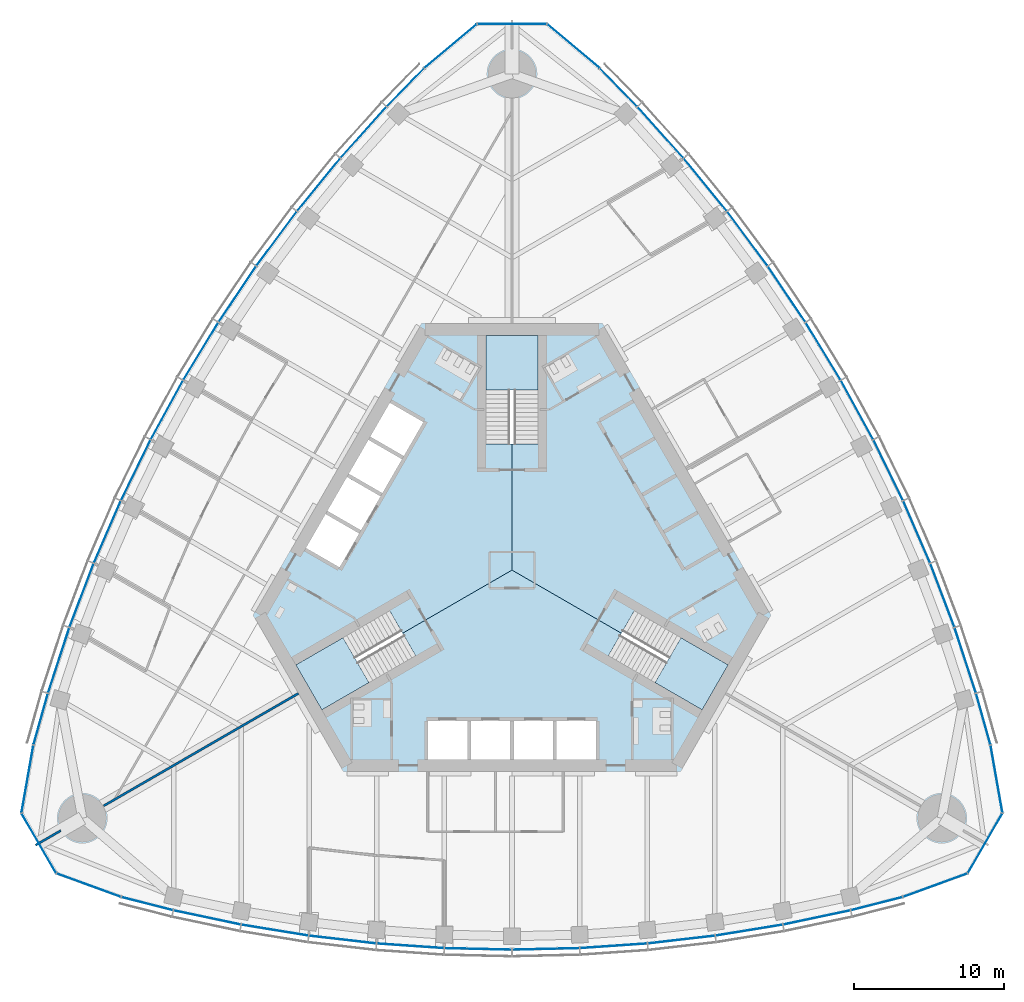
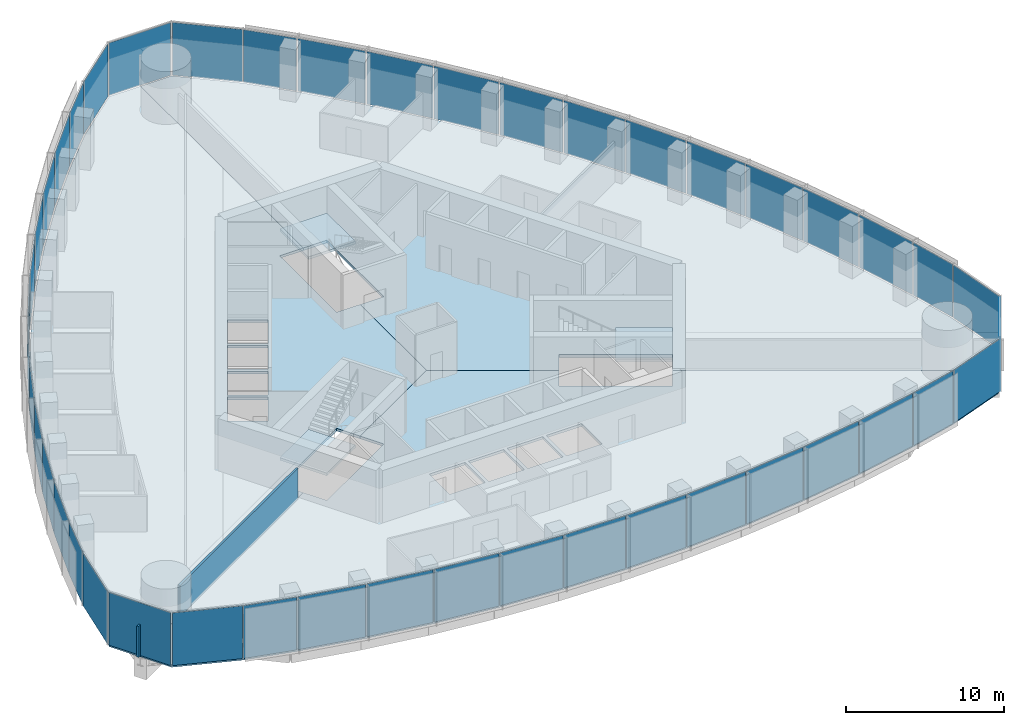
# One storey, part 10 of 19: 45 plates, 6 slabs, 2 walls, 9 elements without a shape of their own.
"""IFC4 building model written with IfcOpenShell, lengths in metres."""

from ifc_helpers import new_model, si_unit, direction, frame, frame_2d, origin, origin_2d, place, context, subcontext, project, spatial, polyline, rectangle, outline, extrude, material, layer, layer_set, type_object, element, aggregate, save


model = new_model("IFC4")

# Units and contexts
model_context = context("Model", 3, precision=1e-05, world=origin(), true_north=direction((0.0, 1.0)))
body_context = subcontext(model_context, "Body", "Model", "MODEL_VIEW")
ifc_project = project(units=[si_unit("LENGTHUNIT", "METRE"), si_unit("AREAUNIT", "SQUARE_METRE"), si_unit("VOLUMEUNIT", "CUBIC_METRE"), si_unit("PLANEANGLEUNIT", "RADIAN"), si_unit("MASSUNIT", "GRAM", prefix="KILO")], contexts=[model_context])

# Site, building, storey
site_placement = place(None, origin())
site = spatial("IfcSite", under=ifc_project, at=site_placement, CompositionType="ELEMENT")
building_placement = place(site_placement, origin())
building = spatial("IfcBuilding", under=site, at=building_placement, Name="Trefoil Bronze Tower", CompositionType="ELEMENT")
storey_placement = place(building_placement, frame((0.0, 0.0, 206.5)))
storey = spatial("IfcBuildingStorey", under=building, at=storey_placement, Name="L47", CompositionType="ELEMENT", Elevation=206.5)

# Curtain wall, plates
ifc_material_1 = material(Name="Tinted solar-control glass", Category="glass")
curtain_wall_type_1 = type_object("IfcCurtainWallType", Name="Bronze office curtain wall", PredefinedType="USERDEFINED", material=ifc_material_1)
curtain_wall_1_placement = place(storey_placement, origin())
curtain_wall_1 = element("IfcCurtainWall", 1, at=curtain_wall_1_placement, inside=storey, type_object=curtain_wall_type_1, Name="CW-A L47 F1", ObjectType="CURTAIN WALL", PredefinedType="USERDEFINED")
ifc_material_2 = material(Name="Tinted solar-control glass", Category="glass")
ifc_layer_1 = layer(ifc_material_2, 0.030029296875)
ifc_layer_set_1 = layer_set([ifc_layer_1], Name="Bronze office curtain wall glass panel")
plate_type_1 = type_object("IfcPlateType", Name="Bronze office curtain wall glass panel", PredefinedType="CURTAIN_PANEL", material=ifc_layer_set_1)
plate_1_placement = place(storey_placement, frame((-24.251220703125, -22.188232421875, 0.0), z_axis=(0.0, 0.0, 1.0), x_axis=(0.968934035393, -0.247319297786, 0.0)))
plate_1 = element("IfcPlate", 2, at=plate_1_placement, type_object=plate_type_1, Name="CW-A L47 F1 panel 1", PredefinedType="CURTAIN_PANEL", context=body_context, shape_type="SweptSolid", body=[
    extrude(rectangle(XDim=3.483642578125, YDim=0.030029296875, at=origin_2d()), origin(), (0.0, 0.0, 1.0), 4.080078125),
])
plate_2_placement = place(storey_placement, frame((-20.270751953125, -23.105224609375, 0.0), z_axis=(0.0, 0.0, 1.0), x_axis=(0.978394335897, -0.20674748725, 0.0)))
plate_2 = element("IfcPlate", 3, at=plate_2_placement, type_object=plate_type_1, Name="CW-A L47 F1 panel 2", PredefinedType="CURTAIN_PANEL", context=body_context, shape_type="SweptSolid", body=[
    extrude(rectangle(XDim=4.519287109375, YDim=0.030029296875, at=origin_2d()), origin(), (0.0, 0.0, 1.0), 4.080078125),
])
plate_3_placement = place(storey_placement, frame((-15.76611328125, -23.9482421875, 0.0), z_axis=(0.0, 0.0, 1.0), x_axis=(0.986986549528, -0.160802832848, 0.0)))
plate_3 = element("IfcPlate", 4, at=plate_3_placement, type_object=plate_type_1, Name="CW-A L47 F1 panel 3", PredefinedType="CURTAIN_PANEL", context=body_context, shape_type="SweptSolid", body=[
    extrude(rectangle(XDim=4.479248046875, YDim=0.030029296875, at=origin_2d()), origin(), (0.0, 0.0, 1.0), 4.080078125),
])
plate_4_placement = place(storey_placement, frame((-11.261474609375, -24.57568359375, 0.0), z_axis=(0.0, 0.0, 1.0), x_axis=(0.993381831741, -0.114858767043, 0.0)))
plate_4 = element("IfcPlate", 5, at=plate_4_placement, type_object=plate_type_1, Name="CW-A L47 F1 panel 4", PredefinedType="CURTAIN_PANEL", context=body_context, shape_type="SweptSolid", body=[
    extrude(rectangle(XDim=4.449951171875, YDim=0.030029296875, at=origin_2d()), origin(), (0.0, 0.0, 1.0), 4.080078125),
])
plate_5_placement = place(storey_placement, frame((-6.7568359375, -24.991455078125, 0.0), z_axis=(0.0, 0.0, 1.0), x_axis=(0.99762252804, -0.068915103905, 0.0)))
plate_5 = element("IfcPlate", 6, at=plate_5_placement, type_object=plate_type_1, Name="CW-A L47 F1 panel 5", PredefinedType="CURTAIN_PANEL", context=body_context, shape_type="SweptSolid", body=[
    extrude(rectangle(XDim=4.4306640625, YDim=0.030029296875, at=origin_2d()), origin(), (0.0, 0.0, 1.0), 4.080078125),
])
plate_6_placement = place(storey_placement, frame((-2.252197265625, -25.198974609375, 0.0), z_axis=(0.0, 0.0, 1.0), x_axis=(0.999736116243, -0.022971675577, 0.0)))
plate_6 = element("IfcPlate", 7, at=plate_6_placement, type_object=plate_type_1, Name="CW-A L47 F1 panel 6", PredefinedType="CURTAIN_PANEL", context=body_context, shape_type="SweptSolid", body=[
    extrude(rectangle(XDim=4.421142578125, YDim=0.030029296875, at=origin_2d()), origin(), (0.0, 0.0, 1.0), 4.080078125),
])
plate_7_placement = place(storey_placement, frame((2.252197265625, -25.198974609375, 0.0), z_axis=(0.0, 0.0, 1.0), x_axis=(0.999736116243, 0.022971675577, 0.0)))
plate_7 = element("IfcPlate", 8, at=plate_7_placement, type_object=plate_type_1, Name="CW-A L47 F1 panel 7", PredefinedType="CURTAIN_PANEL", context=body_context, shape_type="SweptSolid", body=[
    extrude(rectangle(XDim=4.421142578125, YDim=0.030029296875, at=origin_2d()), origin(), (0.0, 0.0, 1.0), 4.080078125),
])
plate_8_placement = place(storey_placement, frame((6.7568359375, -24.991455078125, 0.0), z_axis=(0.0, 0.0, 1.0), x_axis=(0.99762252804, 0.068915103905, 0.0)))
plate_8 = element("IfcPlate", 9, at=plate_8_placement, type_object=plate_type_1, Name="CW-A L47 F1 panel 8", PredefinedType="CURTAIN_PANEL", context=body_context, shape_type="SweptSolid", body=[
    extrude(rectangle(XDim=4.4306640625, YDim=0.030029296875, at=origin_2d()), origin(), (0.0, 0.0, 1.0), 4.080078125),
])
plate_9_placement = place(storey_placement, frame((11.261474609375, -24.57568359375, 0.0), z_axis=(0.0, 0.0, 1.0), x_axis=(0.993381831741, 0.114858767043, 0.0)))
plate_9 = element("IfcPlate", 10, at=plate_9_placement, type_object=plate_type_1, Name="CW-A L47 F1 panel 9", PredefinedType="CURTAIN_PANEL", context=body_context, shape_type="SweptSolid", body=[
    extrude(rectangle(XDim=4.449951171875, YDim=0.030029296875, at=origin_2d()), origin(), (0.0, 0.0, 1.0), 4.080078125),
])
plate_10_placement = place(storey_placement, frame((15.76611328125, -23.9482421875, 0.0), z_axis=(0.0, 0.0, 1.0), x_axis=(0.986986549528, 0.160802832848, 0.0)))
plate_10 = element("IfcPlate", 11, at=plate_10_placement, type_object=plate_type_1, Name="CW-A L47 F1 panel 10", PredefinedType="CURTAIN_PANEL", context=body_context, shape_type="SweptSolid", body=[
    extrude(rectangle(XDim=4.479248046875, YDim=0.030029296875, at=origin_2d()), origin(), (0.0, 0.0, 1.0), 4.080078125),
])
plate_11_placement = place(storey_placement, frame((20.270751953125, -23.105224609375, 0.0), z_axis=(0.0, 0.0, 1.0), x_axis=(0.978394335897, 0.20674748725, 0.0)))
plate_11 = element("IfcPlate", 12, at=plate_11_placement, type_object=plate_type_1, Name="CW-A L47 F1 panel 11", PredefinedType="CURTAIN_PANEL", context=body_context, shape_type="SweptSolid", body=[
    extrude(rectangle(XDim=4.519287109375, YDim=0.030029296875, at=origin_2d()), origin(), (0.0, 0.0, 1.0), 4.080078125),
])
plate_12_placement = place(storey_placement, frame((24.251220703125, -22.188232421875, 0.0), z_axis=(0.0, 0.0, 1.0), x_axis=(0.968934035393, 0.247319297786, 0.0)))
plate_12 = element("IfcPlate", 13, at=plate_12_placement, type_object=plate_type_1, Name="CW-A L47 F1 panel 12", PredefinedType="CURTAIN_PANEL", context=body_context, shape_type="SweptSolid", body=[
    extrude(rectangle(XDim=3.483642578125, YDim=0.030029296875, at=origin_2d()), origin(), (0.0, 0.0, 1.0), 4.080078125),
])
aggregate(curtain_wall_1, [plate_1, plate_2, plate_3, plate_4, plate_5, plate_6, plate_7, plate_8, plate_9, plate_10, plate_11, plate_12])

curtain_wall_2_placement = place(storey_placement, origin())
curtain_wall_2 = element("IfcCurtainWall", 14, at=curtain_wall_2_placement, inside=storey, type_object=curtain_wall_type_1, Name="CW-A L47 F2", ObjectType="CURTAIN WALL", PredefinedType="USERDEFINED")
plate_13_placement = place(storey_placement, frame((31.341064453125, -9.907958984375, 0.0), z_axis=(0.0, 0.0, 1.0), x_axis=(-0.270282222968, 0.962781138134, 0.0)))
plate_13 = element("IfcPlate", 15, at=plate_13_placement, type_object=plate_type_1, Name="CW-A L47 F2 panel 1", PredefinedType="CURTAIN_PANEL", context=body_context, shape_type="SweptSolid", body=[
    extrude(rectangle(XDim=3.483642578125, YDim=0.030029296875, at=origin_2d()), origin(), (0.0, 0.0, 1.0), 4.080078125),
])
plate_14_placement = place(storey_placement, frame((30.14501953125, -6.002197265625, 0.0), z_axis=(0.0, 0.0, 1.0), x_axis=(-0.310148591821, 0.950688093431, 0.0)))
plate_14 = element("IfcPlate", 16, at=plate_14_placement, type_object=plate_type_1, Name="CW-A L47 F2 panel 2", PredefinedType="CURTAIN_PANEL", context=body_context, shape_type="SweptSolid", body=[
    extrude(rectangle(XDim=4.519287109375, YDim=0.030029296875, at=origin_2d()), origin(), (0.0, 0.0, 1.0), 4.080078125),
])
plate_15_placement = place(storey_placement, frame((28.622802734375, -1.6796875, 0.0), z_axis=(0.0, 0.0, 1.0), x_axis=(-0.354233936517, 0.935156841508, 0.0)))
plate_15 = element("IfcPlate", 17, at=plate_15_placement, type_object=plate_type_1, Name="CW-A L47 F2 panel 3", PredefinedType="CURTAIN_PANEL", context=body_context, shape_type="SweptSolid", body=[
    extrude(rectangle(XDim=4.479248046875, YDim=0.030029296875, at=origin_2d()), origin(), (0.0, 0.0, 1.0), 4.080078125),
])
plate_16_placement = place(storey_placement, frame((26.913818359375, 2.53515625, 0.0), z_axis=(0.0, 0.0, 1.0), x_axis=(-0.397220305764, 0.917723285467, 0.0)))
plate_16 = element("IfcPlate", 18, at=plate_16_placement, type_object=plate_type_1, Name="CW-A L47 F2 panel 4", PredefinedType="CURTAIN_PANEL", context=body_context, shape_type="SweptSolid", body=[
    extrude(rectangle(XDim=4.449951171875, YDim=0.030029296875, at=origin_2d()), origin(), (0.0, 0.0, 1.0), 4.080078125),
])
plate_17_placement = place(storey_placement, frame((25.021728515625, 6.64404296875, 0.0), z_axis=(0.0, 0.0, 1.0), x_axis=(-0.439129033334, 0.898424004623, 0.0)))
plate_17 = element("IfcPlate", 19, at=plate_17_placement, type_object=plate_type_1, Name="CW-A L47 F2 panel 5", PredefinedType="CURTAIN_PANEL", context=body_context, shape_type="SweptSolid", body=[
    extrude(rectangle(XDim=4.4306640625, YDim=0.030029296875, at=origin_2d()), origin(), (0.0, 0.0, 1.0), 4.080078125),
])
plate_18_placement = place(storey_placement, frame((22.948974609375, 10.64892578125, 0.0), z_axis=(0.0, 0.0, 1.0), x_axis=(-0.479974003504, 0.877282711536, 0.0)))
plate_18 = element("IfcPlate", 20, at=plate_18_placement, type_object=plate_type_1, Name="CW-A L47 F2 panel 6", PredefinedType="CURTAIN_PANEL", context=body_context, shape_type="SweptSolid", body=[
    extrude(rectangle(XDim=4.421142578125, YDim=0.030029296875, at=origin_2d()), origin(), (0.0, 0.0, 1.0), 4.080078125),
])
plate_19_placement = place(storey_placement, frame((20.69677734375, 14.550048828125, 0.0), z_axis=(0.0, 0.0, 1.0), x_axis=(-0.519762112739, 0.854311035959, 0.0)))
plate_19 = element("IfcPlate", 21, at=plate_19_placement, type_object=plate_type_1, Name="CW-A L47 F2 panel 7", PredefinedType="CURTAIN_PANEL", context=body_context, shape_type="SweptSolid", body=[
    extrude(rectangle(XDim=4.421142578125, YDim=0.030029296875, at=origin_2d()), origin(), (0.0, 0.0, 1.0), 4.080078125),
])
plate_20_placement = place(storey_placement, frame((18.264892578125, 18.347412109375, 0.0), z_axis=(0.0, 0.0, 1.0), x_axis=(-0.558493494706, 0.829508900718, 0.0)))
plate_20 = element("IfcPlate", 22, at=plate_20_placement, type_object=plate_type_1, Name="CW-A L47 F2 panel 8", PredefinedType="CURTAIN_PANEL", context=body_context, shape_type="SweptSolid", body=[
    extrude(rectangle(XDim=4.4306640625, YDim=0.030029296875, at=origin_2d()), origin(), (0.0, 0.0, 1.0), 4.080078125),
])
plate_21_placement = place(storey_placement, frame((15.65234375, 22.04052734375, 0.0), z_axis=(0.0, 0.0, 1.0), x_axis=(-0.596161525977, 0.802864518425, 0.0)))
plate_21 = element("IfcPlate", 23, at=plate_21_placement, type_object=plate_type_1, Name="CW-A L47 F2 panel 9", PredefinedType="CURTAIN_PANEL", context=body_context, shape_type="SweptSolid", body=[
    extrude(rectangle(XDim=4.449951171875, YDim=0.030029296875, at=origin_2d()), origin(), (0.0, 0.0, 1.0), 4.080078125),
])
plate_22_placement = place(storey_placement, frame((12.856689453125, 25.6279296875, 0.0), z_axis=(0.0, 0.0, 1.0), x_axis=(-0.63275261301, 0.774354008661, 0.0)))
plate_22 = element("IfcPlate", 24, at=plate_22_placement, type_object=plate_type_1, Name="CW-A L47 F2 panel 10", PredefinedType="CURTAIN_PANEL", context=body_context, shape_type="SweptSolid", body=[
    extrude(rectangle(XDim=4.479248046875, YDim=0.030029296875, at=origin_2d()), origin(), (0.0, 0.0, 1.0), 4.080078125),
])
plate_23_placement = place(storey_placement, frame((9.87451171875, 29.107666015625, 0.0), z_axis=(0.0, 0.0, 1.0), x_axis=(-0.668245744076, 0.743940606181, 0.0)))
plate_23 = element("IfcPlate", 25, at=plate_23_placement, type_object=plate_type_1, Name="CW-A L47 F2 panel 11", PredefinedType="CURTAIN_PANEL", context=body_context, shape_type="SweptSolid", body=[
    extrude(rectangle(XDim=4.519287109375, YDim=0.030029296875, at=origin_2d()), origin(), (0.0, 0.0, 1.0), 4.080078125),
])
plate_24_placement = place(storey_placement, frame((7.08984375, 32.09619140625, 0.0), z_axis=(0.0, 0.0, 1.0), x_axis=(-0.698651812425, 0.715461840349, 0.0)))
plate_24 = element("IfcPlate", 26, at=plate_24_placement, type_object=plate_type_1, Name="CW-A L47 F2 panel 12", PredefinedType="CURTAIN_PANEL", context=body_context, shape_type="SweptSolid", body=[
    extrude(rectangle(XDim=3.483642578125, YDim=0.030029296875, at=origin_2d()), origin(), (0.0, 0.0, 1.0), 4.080078125),
])
aggregate(curtain_wall_2, [plate_13, plate_14, plate_15, plate_16, plate_17, plate_18, plate_19, plate_20, plate_21, plate_22, plate_23, plate_24])

curtain_wall_3_placement = place(storey_placement, origin())
curtain_wall_3 = element("IfcCurtainWall", 27, at=curtain_wall_3_placement, inside=storey, type_object=curtain_wall_type_1, Name="CW-A L47 F3", ObjectType="CURTAIN WALL", PredefinedType="USERDEFINED")
plate_25_placement = place(storey_placement, frame((-7.08984375, 32.09619140625, 0.0), z_axis=(0.0, 0.0, 1.0), x_axis=(-0.698651812425, -0.715461840349, 0.0)))
plate_25 = element("IfcPlate", 28, at=plate_25_placement, type_object=plate_type_1, Name="CW-A L47 F3 panel 1", PredefinedType="CURTAIN_PANEL", context=body_context, shape_type="SweptSolid", body=[
    extrude(rectangle(XDim=3.483642578125, YDim=0.030029296875, at=origin_2d()), origin(), (0.0, 0.0, 1.0), 4.080078125),
])
plate_26_placement = place(storey_placement, frame((-9.87451171875, 29.107666015625, 0.0), z_axis=(0.0, 0.0, 1.0), x_axis=(-0.668245744076, -0.743940606181, 0.0)))
plate_26 = element("IfcPlate", 29, at=plate_26_placement, type_object=plate_type_1, Name="CW-A L47 F3 panel 2", PredefinedType="CURTAIN_PANEL", context=body_context, shape_type="SweptSolid", body=[
    extrude(rectangle(XDim=4.519287109375, YDim=0.030029296875, at=origin_2d()), origin(), (0.0, 0.0, 1.0), 4.080078125),
])
plate_27_placement = place(storey_placement, frame((-12.856689453125, 25.6279296875, 0.0), z_axis=(0.0, 0.0, 1.0), x_axis=(-0.63275261301, -0.774354008661, 0.0)))
plate_27 = element("IfcPlate", 30, at=plate_27_placement, type_object=plate_type_1, Name="CW-A L47 F3 panel 3", PredefinedType="CURTAIN_PANEL", context=body_context, shape_type="SweptSolid", body=[
    extrude(rectangle(XDim=4.479248046875, YDim=0.030029296875, at=origin_2d()), origin(), (0.0, 0.0, 1.0), 4.080078125),
])
plate_28_placement = place(storey_placement, frame((-15.65234375, 22.04052734375, 0.0), z_axis=(0.0, 0.0, 1.0), x_axis=(-0.596161525977, -0.802864518425, 0.0)))
plate_28 = element("IfcPlate", 31, at=plate_28_placement, type_object=plate_type_1, Name="CW-A L47 F3 panel 4", PredefinedType="CURTAIN_PANEL", context=body_context, shape_type="SweptSolid", body=[
    extrude(rectangle(XDim=4.449951171875, YDim=0.030029296875, at=origin_2d()), origin(), (0.0, 0.0, 1.0), 4.080078125),
])
plate_29_placement = place(storey_placement, frame((-18.264892578125, 18.347412109375, 0.0), z_axis=(0.0, 0.0, 1.0), x_axis=(-0.558493494706, -0.829508900718, 0.0)))
plate_29 = element("IfcPlate", 32, at=plate_29_placement, type_object=plate_type_1, Name="CW-A L47 F3 panel 5", PredefinedType="CURTAIN_PANEL", context=body_context, shape_type="SweptSolid", body=[
    extrude(rectangle(XDim=4.4306640625, YDim=0.030029296875, at=origin_2d()), origin(), (0.0, 0.0, 1.0), 4.080078125),
])
plate_30_placement = place(storey_placement, frame((-20.69677734375, 14.550048828125, 0.0), z_axis=(0.0, 0.0, 1.0), x_axis=(-0.519762112739, -0.854311035959, 0.0)))
plate_30 = element("IfcPlate", 33, at=plate_30_placement, type_object=plate_type_1, Name="CW-A L47 F3 panel 6", PredefinedType="CURTAIN_PANEL", context=body_context, shape_type="SweptSolid", body=[
    extrude(rectangle(XDim=4.421142578125, YDim=0.030029296875, at=origin_2d()), origin(), (0.0, 0.0, 1.0), 4.080078125),
])
plate_31_placement = place(storey_placement, frame((-22.948974609375, 10.64892578125, 0.0), z_axis=(0.0, 0.0, 1.0), x_axis=(-0.479974003504, -0.877282711536, 0.0)))
plate_31 = element("IfcPlate", 34, at=plate_31_placement, type_object=plate_type_1, Name="CW-A L47 F3 panel 7", PredefinedType="CURTAIN_PANEL", context=body_context, shape_type="SweptSolid", body=[
    extrude(rectangle(XDim=4.421142578125, YDim=0.030029296875, at=origin_2d()), origin(), (0.0, 0.0, 1.0), 4.080078125),
])
plate_32_placement = place(storey_placement, frame((-25.021728515625, 6.64404296875, 0.0), z_axis=(0.0, 0.0, 1.0), x_axis=(-0.439129033334, -0.898424004623, 0.0)))
plate_32 = element("IfcPlate", 35, at=plate_32_placement, type_object=plate_type_1, Name="CW-A L47 F3 panel 8", PredefinedType="CURTAIN_PANEL", context=body_context, shape_type="SweptSolid", body=[
    extrude(rectangle(XDim=4.4306640625, YDim=0.030029296875, at=origin_2d()), origin(), (0.0, 0.0, 1.0), 4.080078125),
])
plate_33_placement = place(storey_placement, frame((-26.913818359375, 2.53515625, 0.0), z_axis=(0.0, 0.0, 1.0), x_axis=(-0.397220305764, -0.917723285467, 0.0)))
plate_33 = element("IfcPlate", 36, at=plate_33_placement, type_object=plate_type_1, Name="CW-A L47 F3 panel 9", PredefinedType="CURTAIN_PANEL", context=body_context, shape_type="SweptSolid", body=[
    extrude(rectangle(XDim=4.449951171875, YDim=0.030029296875, at=origin_2d()), origin(), (0.0, 0.0, 1.0), 4.080078125),
])
plate_34_placement = place(storey_placement, frame((-28.622802734375, -1.6796875, 0.0), z_axis=(0.0, 0.0, 1.0), x_axis=(-0.354233936517, -0.935156841508, 0.0)))
plate_34 = element("IfcPlate", 37, at=plate_34_placement, type_object=plate_type_1, Name="CW-A L47 F3 panel 10", PredefinedType="CURTAIN_PANEL", context=body_context, shape_type="SweptSolid", body=[
    extrude(rectangle(XDim=4.479248046875, YDim=0.030029296875, at=origin_2d()), origin(), (0.0, 0.0, 1.0), 4.080078125),
])
plate_35_placement = place(storey_placement, frame((-30.14501953125, -6.002197265625, 0.0), z_axis=(0.0, 0.0, 1.0), x_axis=(-0.310148591821, -0.950688093431, 0.0)))
plate_35 = element("IfcPlate", 38, at=plate_35_placement, type_object=plate_type_1, Name="CW-A L47 F3 panel 11", PredefinedType="CURTAIN_PANEL", context=body_context, shape_type="SweptSolid", body=[
    extrude(rectangle(XDim=4.519287109375, YDim=0.030029296875, at=origin_2d()), origin(), (0.0, 0.0, 1.0), 4.080078125),
])
plate_36_placement = place(storey_placement, frame((-31.341064453125, -9.907958984375, 0.0), z_axis=(0.0, 0.0, 1.0), x_axis=(-0.270282222968, -0.962781138134, 0.0)))
plate_36 = element("IfcPlate", 39, at=plate_36_placement, type_object=plate_type_1, Name="CW-A L47 F3 panel 12", PredefinedType="CURTAIN_PANEL", context=body_context, shape_type="SweptSolid", body=[
    extrude(rectangle(XDim=3.483642578125, YDim=0.030029296875, at=origin_2d()), origin(), (0.0, 0.0, 1.0), 4.080078125),
])
aggregate(curtain_wall_3, [plate_25, plate_26, plate_27, plate_28, plate_29, plate_30, plate_31, plate_32, plate_33, plate_34, plate_35, plate_36])

ifc_material_3 = material(Name="Tinted solar-control glass", Category="glass")
curtain_wall_type_2 = type_object("IfcCurtainWallType", Name="Bronze rounded corner curtain wall", PredefinedType="USERDEFINED", material=ifc_material_3)
curtain_wall_4_placement = place(storey_placement, origin())
curtain_wall_4 = element("IfcCurtainWall", 40, at=curtain_wall_4_placement, inside=storey, type_object=curtain_wall_type_2, Name="CW-B L47 K1", ObjectType="CURTAIN WALL", PredefinedType="USERDEFINED")
ifc_material_4 = material(Name="Tinted solar-control glass", Category="glass")
ifc_layer_2 = layer(ifc_material_4, 0.030029296875)
ifc_layer_set_2 = layer_set([ifc_layer_2], Name="Bronze rounded corner curtain wall glass panel")
plate_type_2 = type_object("IfcPlateType", Name="Bronze rounded corner curtain wall glass panel", PredefinedType="CURTAIN_PANEL", material=ifc_layer_set_2)
plate_37_placement = place(storey_placement, frame((28.1298828125, -20.96484375, 0.0), z_axis=(0.0, 0.0, 1.0), x_axis=(0.939692620786, 0.342020143326, 0.0)))
plate_37 = element("IfcPlate", 41, at=plate_37_placement, type_object=plate_type_2, Name="CW-B L47 K1 panel 1", PredefinedType="CURTAIN_PANEL", context=body_context, shape_type="SweptSolid", body=[
    extrude(rectangle(XDim=4.500244140625, YDim=0.030029296875, at=origin_2d()), origin(), (0.0, 0.0, 1.0), 4.080078125),
])
plate_38_placement = place(storey_placement, frame((31.46484375, -18.166259765625, 0.0), z_axis=(0.0, 0.0, 1.0), x_axis=(0.5, 0.866025403784, 0.0)))
plate_38 = element("IfcPlate", 42, at=plate_38_placement, type_object=plate_type_2, Name="CW-B L47 K1 panel 2", PredefinedType="CURTAIN_PANEL", context=body_context, shape_type="SweptSolid", body=[
    extrude(rectangle(XDim=4.500244140625, YDim=0.030029296875, at=origin_2d()), origin(), (0.0, 0.0, 1.0), 4.080078125),
])
plate_39_placement = place(storey_placement, frame((32.220947265625, -13.878662109375, 0.0), z_axis=(0.0, 0.0, 1.0), x_axis=(-0.173648177667, 0.984807753012, 0.0)))
plate_39 = element("IfcPlate", 43, at=plate_39_placement, type_object=plate_type_2, Name="CW-B L47 K1 panel 3", PredefinedType="CURTAIN_PANEL", context=body_context, shape_type="SweptSolid", body=[
    extrude(rectangle(XDim=4.500244140625, YDim=0.030029296875, at=origin_2d()), origin(), (0.0, 0.0, 1.0), 4.080078125),
])
aggregate(curtain_wall_4, [plate_37, plate_38, plate_39])

curtain_wall_5_placement = place(storey_placement, origin())
curtain_wall_5 = element("IfcCurtainWall", 44, at=curtain_wall_5_placement, inside=storey, type_object=curtain_wall_type_2, Name="CW-B L47 K2", ObjectType="CURTAIN WALL", PredefinedType="USERDEFINED")
plate_40_placement = place(storey_placement, frame((4.091064453125, 34.843505859375, 0.0), z_axis=(0.0, 0.0, 1.0), x_axis=(-0.766044443119, 0.642787609687, 0.0)))
plate_40 = element("IfcPlate", 45, at=plate_40_placement, type_object=plate_type_2, Name="CW-B L47 K2 panel 1", PredefinedType="CURTAIN_PANEL", context=body_context, shape_type="SweptSolid", body=[
    extrude(rectangle(XDim=4.500244140625, YDim=0.030029296875, at=origin_2d()), origin(), (0.0, 0.0, 1.0), 4.080078125),
])
plate_41_placement = place(storey_placement, frame((0.0, 36.33251953125, 0.0), z_axis=(0.0, 0.0, 1.0), x_axis=(-1.0, 0.0, 0.0)))
plate_41 = element("IfcPlate", 46, at=plate_41_placement, type_object=plate_type_2, Name="CW-B L47 K2 panel 2", PredefinedType="CURTAIN_PANEL", context=body_context, shape_type="SweptSolid", body=[
    extrude(rectangle(XDim=4.500244140625, YDim=0.030029296875, at=origin_2d()), origin(), (0.0, 0.0, 1.0), 4.080078125),
])
plate_42_placement = place(storey_placement, frame((-4.091064453125, 34.843505859375, 0.0), z_axis=(0.0, 0.0, 1.0), x_axis=(-0.766044443119, -0.642787609687, 0.0)))
plate_42 = element("IfcPlate", 47, at=plate_42_placement, type_object=plate_type_2, Name="CW-B L47 K2 panel 3", PredefinedType="CURTAIN_PANEL", context=body_context, shape_type="SweptSolid", body=[
    extrude(rectangle(XDim=4.500244140625, YDim=0.030029296875, at=origin_2d()), origin(), (0.0, 0.0, 1.0), 4.080078125),
])
aggregate(curtain_wall_5, [plate_40, plate_41, plate_42])

curtain_wall_6_placement = place(storey_placement, origin())
curtain_wall_6 = element("IfcCurtainWall", 48, at=curtain_wall_6_placement, inside=storey, type_object=curtain_wall_type_2, Name="CW-B L47 K3", ObjectType="CURTAIN WALL", PredefinedType="USERDEFINED")
plate_43_placement = place(storey_placement, frame((-32.220947265625, -13.878662109375, 0.0), z_axis=(0.0, 0.0, 1.0), x_axis=(-0.173648177667, -0.984807753012, 0.0)))
plate_43 = element("IfcPlate", 49, at=plate_43_placement, type_object=plate_type_2, Name="CW-B L47 K3 panel 1", PredefinedType="CURTAIN_PANEL", context=body_context, shape_type="SweptSolid", body=[
    extrude(rectangle(XDim=4.500244140625, YDim=0.030029296875, at=origin_2d()), origin(), (0.0, 0.0, 1.0), 4.080078125),
])
plate_44_placement = place(storey_placement, frame((-31.46484375, -18.166259765625, 0.0), z_axis=(0.0, 0.0, 1.0), x_axis=(0.5, -0.866025403784, 0.0)))
plate_44 = element("IfcPlate", 50, at=plate_44_placement, type_object=plate_type_2, Name="CW-B L47 K3 panel 2", PredefinedType="CURTAIN_PANEL", context=body_context, shape_type="SweptSolid", body=[
    extrude(rectangle(XDim=4.500244140625, YDim=0.030029296875, at=origin_2d()), origin(), (0.0, 0.0, 1.0), 4.080078125),
])
plate_45_placement = place(storey_placement, frame((-28.1298828125, -20.96484375, 0.0), z_axis=(0.0, 0.0, 1.0), x_axis=(0.939692620786, -0.342020143326, 0.0)))
plate_45 = element("IfcPlate", 51, at=plate_45_placement, type_object=plate_type_2, Name="CW-B L47 K3 panel 3", PredefinedType="CURTAIN_PANEL", context=body_context, shape_type="SweptSolid", body=[
    extrude(rectangle(XDim=4.500244140625, YDim=0.030029296875, at=origin_2d()), origin(), (0.0, 0.0, 1.0), 4.080078125),
])
aggregate(curtain_wall_6, [plate_43, plate_44, plate_45])

# Slabs
ifc_material_5 = material(Name="Concrete B30", Category="concrete")
ifc_layer_3 = layer(ifc_material_5, 0.199951171875)
ifc_layer_set_3 = layer_set([ifc_layer_3], Name="Floor slab 200")
slab_type_1 = type_object("IfcSlabType", Name="Floor slab 200", PredefinedType="FLOOR", material=ifc_layer_set_3)
slab_1_placement = place(storey_placement, frame((0.0, 0.0, -0.199951171875)))
element("IfcSlab", 52, at=slab_1_placement, inside=storey, type_object=slab_type_1, Name="Floor slab L47 face 1", PredefinedType="FLOOR", context=body_context, shape_type="SweptSolid", body=[
    extrude(outline(polyline([(18.0, -23.48291015625), (13.5, -24.216064453125), (9.0, -24.736328125), (4.5, -25.047119140625), (0.0, -25.150634765625), (-4.5, -25.047119140625), (-9.0, -24.736328125), (-13.5, -24.216064453125), (-18.0, -23.48291015625), (-22.5, -22.531982421875), (-25.952880859375, -21.650634765625), (-30.23828125, -20.0908203125), (-31.37841796875, -18.1162109375), (-13.510009765625, -7.800048828125), (-12.6474609375, -9.2939453125), (-6.412109375, -5.69384765625), (-7.274658203125, -4.199951171875), (0.0, 0.0), (7.274658203125, -4.199951171875), (6.412109375, -5.69384765625), (12.6474609375, -9.2939453125), (13.510009765625, -7.800048828125), (31.37841796875, -18.1162109375), (30.23828125, -20.0908203125), (25.952880859375, -21.650634765625), (22.5, -22.531982421875), (18.0, -23.48291015625)]), holes=[polyline([(-5.574951171875, -10.02490234375), (-2.97509765625, -10.02490234375), (-2.97509765625, -12.60009765625), (-5.574951171875, -12.60009765625), (-5.574951171875, -10.02490234375)]), polyline([(-2.72509765625, -10.02490234375), (-0.125, -10.02490234375), (-0.125, -12.60009765625), (-2.72509765625, -12.60009765625), (-2.72509765625, -10.02490234375)]), polyline([(0.125, -10.02490234375), (2.72509765625, -10.02490234375), (2.72509765625, -12.60009765625), (0.125, -12.60009765625), (0.125, -10.02490234375)]), polyline([(2.97509765625, -10.02490234375), (5.574951171875, -10.02490234375), (5.574951171875, -12.60009765625), (2.97509765625, -12.60009765625), (2.97509765625, -10.02490234375)])]), origin(), (0.0, 0.0, 1.0), 0.199951171875),
])
slab_2_placement = place(storey_placement, frame((0.0, 0.0, -0.199951171875)))
element("IfcSlab", 53, at=slab_2_placement, inside=storey, type_object=slab_type_1, Name="Floor slab L47 face 2", PredefinedType="FLOOR", context=body_context, shape_type="SweptSolid", body=[
    extrude(outline(polyline([(11.3369140625, 27.329833984375), (14.2216796875, 23.79931640625), (16.92236328125, 20.162353515625), (19.441650390625, 16.420654296875), (21.781005859375, 12.575439453125), (23.941650390625, 8.62646484375), (25.92236328125, 4.573974609375), (27.7216796875, 0.416748046875), (29.3369140625, -3.846923828125), (30.76318359375, -8.219482421875), (31.7265625, -11.650634765625), (32.518310546875, -16.1416015625), (31.37841796875, -18.1162109375), (13.510009765625, -7.800048828125), (14.37255859375, -6.30615234375), (8.13720703125, -2.7060546875), (7.274658203125, -4.199951171875), (0.0, 0.0), (0.0, 8.39990234375), (1.72509765625, 8.39990234375), (1.72509765625, 15.60009765625), (0.0, 15.60009765625), (0.0, 36.232666015625), (2.280029296875, 36.232666015625), (5.7734375, 33.30126953125), (8.26318359375, 30.75146484375), (11.3369140625, 27.329833984375)])), origin(), (0.0, 0.0, 1.0), 0.199951171875),
])
slab_3_placement = place(storey_placement, frame((0.0, 0.0, -0.199951171875)))
element("IfcSlab", 54, at=slab_3_placement, inside=storey, type_object=slab_type_1, Name="Floor slab L47 face 3", PredefinedType="FLOOR", context=body_context, shape_type="SweptSolid", body=[
    extrude(outline(polyline([(-29.3369140625, -3.846923828125), (-27.7216796875, 0.416748046875), (-25.92236328125, 4.573974609375), (-23.941650390625, 8.62646484375), (-21.781005859375, 12.575439453125), (-19.441650390625, 16.420654296875), (-16.92236328125, 20.162353515625), (-14.2216796875, 23.79931640625), (-11.3369140625, 27.329833984375), (-8.26318359375, 30.75146484375), (-5.7734375, 33.30126953125), (-2.280029296875, 36.232666015625), (0.0, 36.232666015625), (0.0, 15.60009765625), (-1.72509765625, 15.60009765625), (-1.72509765625, 8.39990234375), (0.0, 8.39990234375), (0.0, 0.0), (-7.274658203125, -4.199951171875), (-8.13720703125, -2.7060546875), (-14.37255859375, -6.30615234375), (-13.510009765625, -7.800048828125), (-31.37841796875, -18.1162109375), (-32.518310546875, -16.1416015625), (-31.7265625, -11.650634765625), (-30.76318359375, -8.219482421875), (-29.3369140625, -3.846923828125)]), holes=[polyline([(-5.894287109375, 9.840576171875), (-7.1943359375, 7.5888671875), (-9.42431640625, 8.87646484375), (-8.12451171875, 11.128173828125), (-5.894287109375, 9.840576171875)]), polyline([(-7.3193359375, 7.372314453125), (-8.619384765625, 5.120849609375), (-10.849365234375, 6.408203125), (-9.54931640625, 8.659912109375), (-7.3193359375, 7.372314453125)]), polyline([(-8.744384765625, 4.904296875), (-10.04443359375, 2.652587890625), (-12.2744140625, 3.940185546875), (-10.974365234375, 6.191650390625), (-8.744384765625, 4.904296875)]), polyline([(-10.16943359375, 2.43603515625), (-11.469482421875, 0.184326171875), (-13.699462890625, 1.471923828125), (-12.3994140625, 3.7236328125), (-10.16943359375, 2.43603515625)])]), origin(), (0.0, 0.0, 1.0), 0.199951171875),
])

# Stair, slab
ifc_material_6 = material(Name="Precast concrete B80", Category="concrete")
stair_type = type_object("IfcStairType", Name="Exit stair 26 risers", PredefinedType="HALF_TURN_STAIR", material=ifc_material_6)
stair_1_placement = place(storey_placement, origin())
stair_1 = element("IfcStair", 55, at=stair_1_placement, inside=storey, type_object=stair_type, Name="Stair ST1 L47", PredefinedType="HALF_TURN_STAIR")
ifc_material_7 = material(Name="Concrete B30", Category="concrete")
ifc_layer_4 = layer(ifc_material_7, 0.199951171875)
ifc_layer_set_4 = layer_set([ifc_layer_4], Name="Stair landing 200")
slab_type_2 = type_object("IfcSlabType", Name="Stair landing 200", PredefinedType="LANDING", material=ifc_layer_set_4)
slab_4_placement = place(storey_placement, frame((0.0, 0.0, 1.89990234375)))
slab_4 = element("IfcSlab", 56, at=slab_4_placement, type_object=slab_type_2, Name="ST1 landing 1", PredefinedType="LANDING", context=body_context, shape_type="SweptSolid", body=[
    extrude(outline(polyline([(9.512451171875, -7.48388671875), (12.6474609375, -9.2939453125), (14.37255859375, -6.30615234375), (11.237548828125, -4.49609375), (9.512451171875, -7.48388671875)])), origin(), (0.0, 0.0, 1.0), 0.2001953125),
])
aggregate(stair_1, [slab_4])

stair_2_placement = place(storey_placement, origin())
stair_2 = element("IfcStair", 57, at=stair_2_placement, inside=storey, type_object=stair_type, Name="Stair ST2 L47", PredefinedType="HALF_TURN_STAIR")
slab_5_placement = place(storey_placement, frame((0.0, 0.0, 1.89990234375)))
slab_5 = element("IfcSlab", 58, at=slab_5_placement, type_object=slab_type_2, Name="ST2 landing 1", PredefinedType="LANDING", context=body_context, shape_type="SweptSolid", body=[
    extrude(outline(polyline([(1.72509765625, 11.97998046875), (1.72509765625, 15.60009765625), (-1.72509765625, 15.60009765625), (-1.72509765625, 11.97998046875), (1.72509765625, 11.97998046875)])), origin(), (0.0, 0.0, 1.0), 0.2001953125),
])
aggregate(stair_2, [slab_5])

stair_3_placement = place(storey_placement, origin())
stair_3 = element("IfcStair", 59, at=stair_3_placement, inside=storey, type_object=stair_type, Name="Stair ST3 L47", PredefinedType="HALF_TURN_STAIR")
slab_6_placement = place(storey_placement, frame((0.0, 0.0, 1.89990234375)))
slab_6 = element("IfcSlab", 60, at=slab_6_placement, type_object=slab_type_2, Name="ST3 landing 1", PredefinedType="LANDING", context=body_context, shape_type="SweptSolid", body=[
    extrude(outline(polyline([(-11.237548828125, -4.49609375), (-14.37255859375, -6.30615234375), (-12.6474609375, -9.2939453125), (-9.512451171875, -7.48388671875), (-11.237548828125, -4.49609375)])), origin(), (0.0, 0.0, 1.0), 0.2001953125),
])
aggregate(stair_3, [slab_6])

# Walls
ifc_material_8 = material(Name="Gypsum board on steel studs", Category="steel")
ifc_layer_5 = layer(ifc_material_8, 0.14990234375)
ifc_layer_set_5 = layer_set([ifc_layer_5], Name="Party wall 150")
wall_type = type_object("IfcWallType", Name="Party wall 150", PredefinedType="PARTITIONING", material=ifc_layer_set_5)
wall_1_placement = place(storey_placement, frame((-14.202880859375, -8.199951171875, 0.0), z_axis=(0.0, 0.0, 1.0), x_axis=(-0.866021600284, -0.500006587798, 0.0)))
element("IfcWall", 61, at=wall_1_placement, inside=storey, type_object=wall_type, Name="Party wall K3 L47", PredefinedType="PARTITIONING", context=body_context, shape_type="SweptSolid", body=[
    extrude(rectangle(XDim=14.949951171875, YDim=0.14990234375, at=frame_2d((7.47509765625, 0.0))), origin(), (0.0, 0.0, 1.0), 2.39990234375),
])
wall_2_placement = place(storey_placement, frame((-30.0078125, -17.324951171875, 0.0), z_axis=(0.0, 0.0, 1.0), x_axis=(-0.866013246922, -0.500021055713, 0.0)))
element("IfcWall", 62, at=wall_2_placement, inside=storey, type_object=wall_type, Name="Party wall K3 L47", PredefinedType="PARTITIONING", context=body_context, shape_type="SweptSolid", body=[
    extrude(rectangle(XDim=1.9345703125, YDim=0.14990234375, at=frame_2d((0.96728515625, 0.0))), origin(), (0.0, 0.0, 1.0), 2.39990234375),
])

save(model, "model.ifc")
